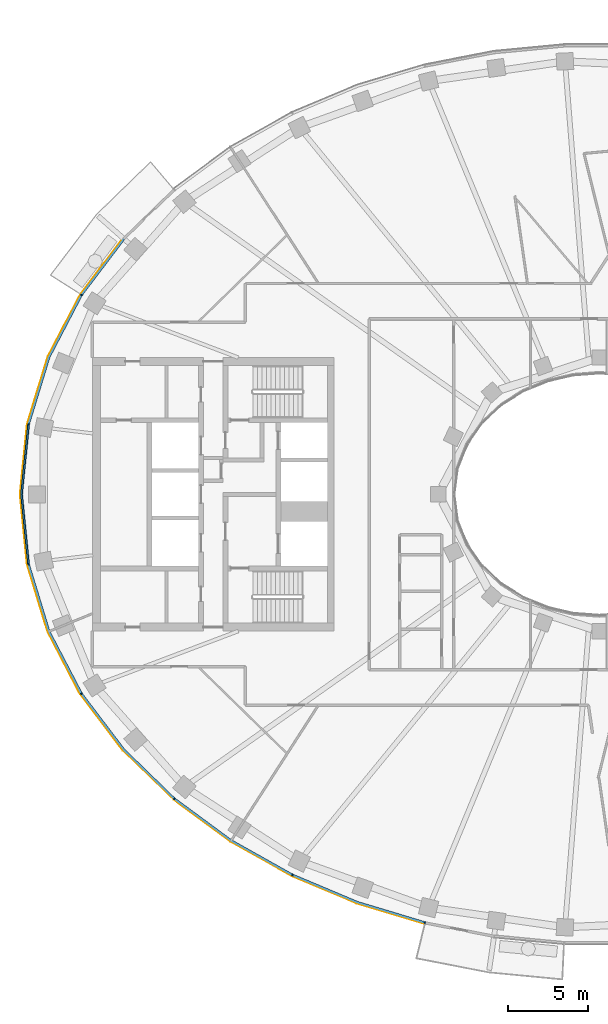
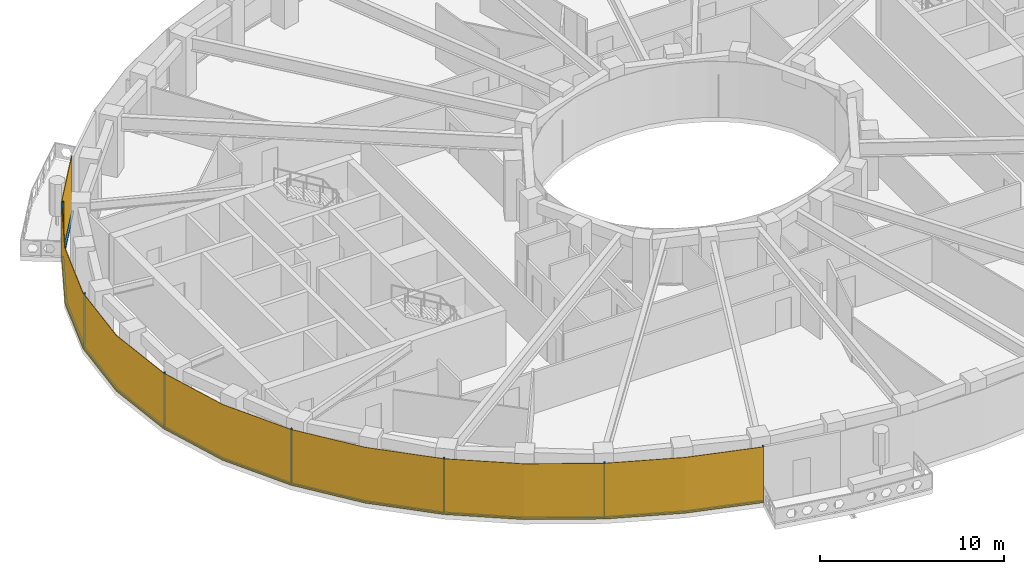
# One storey, part 8 of 16: 14 members, 1 curtain wall.
"""IFC4 building model written with IfcOpenShell, lengths in metres."""

from ifc_helpers import new_model, si_unit, direction, frame, origin, origin_2d, place, context, subcontext, project, spatial, polyline, rectangle, outline, extrude, material, layer, layer_set, material_profile, profile_set, type_object, element, aggregate, save


model = new_model("IFC4")

# Units and contexts
model_context = context("Model", 3, precision=1e-05, world=origin(), true_north=direction((0.0, 1.0)))
body_context = subcontext(model_context, "Body", "Model", "MODEL_VIEW")
ifc_project = project(units=[si_unit("LENGTHUNIT", "METRE"), si_unit("AREAUNIT", "SQUARE_METRE"), si_unit("VOLUMEUNIT", "CUBIC_METRE"), si_unit("PLANEANGLEUNIT", "RADIAN"), si_unit("MASSUNIT", "GRAM", prefix="KILO")], contexts=[model_context])

# Member
ifc_material_1 = material(Name="Aluminium 6063-T6 black anodised", Category="aluminium")
ifc_material_profile = material_profile(ifc_material_1, rectangle(XDim=0.1201171875, YDim=0.06005859375, at=origin_2d()), Name="120x60")
ifc_profile_set = profile_set([ifc_material_profile], Name="Aluminium 6063-T6 black anodised")
member_type_1 = type_object("IfcMemberType", Name="ENV-MULLION-A-120", PredefinedType="MULLION", material=ifc_profile_set)
site_placement = place(None, origin())
building_placement = place(site_placement, origin())
storey_placement = place(building_placement, frame((0.0, 0.0, 261.5)))
member_1_placement = place(storey_placement, frame((-32.177490234375, 12.385498046875, 0.0), z_axis=(0.0, 0.0, 1.0), x_axis=(0.844829880882, -0.53503501976, 0.0)))
member_1 = element("IfcMember", 1, at=member_1_placement, type_object=member_type_1, Name="Mullion A radial 21", PredefinedType="MULLION", context=body_context, shape_type="SweptSolid", body=[
    extrude(rectangle(XDim=0.1201171875, YDim=0.06005859375, at=origin_2d()), origin(), (0.0, 0.0, 1.0), 3.699951171875),
])

member_2_placement = place(storey_placement, frame((-35.470947265625, 4.340576171875, 0.0), z_axis=(0.0, 0.0, 1.0), x_axis=(0.980379083141, -0.19712141776, 0.0)))
member_2 = element("IfcMember", 2, at=member_2_placement, type_object=member_type_1, Name="Mullion A radial 23", PredefinedType="MULLION", context=body_context, shape_type="SweptSolid", body=[
    extrude(rectangle(XDim=0.1201171875, YDim=0.06005859375, at=origin_2d()), origin(), (0.0, 0.0, 1.0), 3.699951171875),
])

member_3_placement = place(storey_placement, frame((-35.470947265625, -4.340576171875, 0.0), z_axis=(0.0, 0.0, 1.0), x_axis=(0.980379083141, 0.19712141776, 0.0)))
member_3 = element("IfcMember", 3, at=member_3_placement, type_object=member_type_1, Name="Mullion A radial 25", PredefinedType="MULLION", context=body_context, shape_type="SweptSolid", body=[
    extrude(rectangle(XDim=0.1201171875, YDim=0.06005859375, at=origin_2d()), origin(), (0.0, 0.0, 1.0), 3.699951171875),
])

member_4_placement = place(storey_placement, frame((-32.177490234375, -12.385498046875, 0.0), z_axis=(0.0, 0.0, 1.0), x_axis=(0.844829880882, 0.53503501976, 0.0)))
member_4 = element("IfcMember", 4, at=member_4_placement, type_object=member_type_1, Name="Mullion A radial 27", PredefinedType="MULLION", context=body_context, shape_type="SweptSolid", body=[
    extrude(rectangle(XDim=0.1201171875, YDim=0.06005859375, at=origin_2d()), origin(), (0.0, 0.0, 1.0), 3.699951171875),
])

member_5_placement = place(storey_placement, frame((-26.403564453125, -18.9130859375, 0.0), z_axis=(0.0, 0.0, 1.0), x_axis=(0.646451313783, 0.762955240435, 0.0)))
member_5 = element("IfcMember", 5, at=member_5_placement, type_object=member_type_1, Name="Mullion A radial 29", PredefinedType="MULLION", context=body_context, shape_type="SweptSolid", body=[
    extrude(rectangle(XDim=0.1201171875, YDim=0.06005859375, at=origin_2d()), origin(), (0.0, 0.0, 1.0), 3.699951171875),
])

member_6_placement = place(storey_placement, frame((-19.06787109375, -23.6474609375, 0.0), z_axis=(0.0, 0.0, 1.0), x_axis=(0.439237769837, 0.898370848563, 0.0)))
member_6 = element("IfcMember", 6, at=member_6_placement, type_object=member_type_1, Name="Mullion A radial 31", PredefinedType="MULLION", context=body_context, shape_type="SweptSolid", body=[
    extrude(rectangle(XDim=0.1201171875, YDim=0.06005859375, at=origin_2d()), origin(), (0.0, 0.0, 1.0), 3.699951171875),
])

member_7_placement = place(storey_placement, frame((-10.84326171875, -26.60498046875, 0.0), z_axis=(0.0, 0.0, 1.0), x_axis=(0.239799081534, 0.970822538106, 0.0)))
member_7 = element("IfcMember", 7, at=member_7_placement, type_object=member_type_1, Name="Mullion A radial 33", PredefinedType="MULLION", context=body_context, shape_type="SweptSolid", body=[
    extrude(rectangle(XDim=0.1201171875, YDim=0.06005859375, at=origin_2d()), origin(), (0.0, 0.0, 1.0), 3.699951171875),
])

ifc_material_2 = material(Name="Aluminium 6063-T6 black anodised", Category="aluminium")
member_type_2 = type_object("IfcMemberType", Name="ENV-TRANSOM-A", PredefinedType="USERDEFINED", material=ifc_material_2)
member_8_placement = place(storey_placement, origin())
member_8 = element("IfcMember", 8, at=member_8_placement, type_object=member_type_2, Name="Transom A radial 20-21", ObjectType="TRANSOM", PredefinedType="USERDEFINED", context=body_context, shape_type="SweptSolid", body=[
    extrude(outline(polyline([(-29.595703125, 15.890869140625), (-32.211181640625, 12.43994140625), (-32.109375, 12.37548828125), (-29.505615234375, 15.811279296875), (-29.595703125, 15.890869140625)])), origin(), (0.0, 0.0, 1.0), 0.10009765625),
])

member_9_placement = place(storey_placement, origin())
member_9 = element("IfcMember", 9, at=member_9_placement, type_object=member_type_2, Name="Transom A radial 21-23", ObjectType="TRANSOM", PredefinedType="USERDEFINED", context=body_context, shape_type="SweptSolid", body=[
    extrude(outline(polyline([(-32.240966796875, 12.392578125), (-34.251220703125, 8.53662109375), (-35.521484375, 4.379150390625), (-35.4033203125, 4.355224609375), (-34.139892578125, 8.490966796875), (-32.139404296875, 12.328369140625), (-32.240966796875, 12.392578125)])), origin(), (0.0, 0.0, 1.0), 0.10009765625),
])

member_10_placement = place(storey_placement, origin())
member_10 = element("IfcMember", 10, at=member_10_placement, type_object=member_type_2, Name="Transom A radial 23-25", ObjectType="TRANSOM", PredefinedType="USERDEFINED", context=body_context, shape_type="SweptSolid", body=[
    extrude(outline(polyline([(-35.532470703125, 4.324462890625), (-35.9677734375, 0.0), (-35.532470703125, -4.324462890625), (-35.414306640625, -4.30078125), (-35.84716796875, 0.0), (-35.414306640625, 4.30078125), (-35.532470703125, 4.324462890625)])), origin(), (0.0, 0.0, 1.0), 0.10009765625),
])

member_11_placement = place(storey_placement, origin())
member_11 = element("IfcMember", 11, at=member_11_placement, type_object=member_type_2, Name="Transom A radial 25-27", ObjectType="TRANSOM", PredefinedType="USERDEFINED", context=body_context, shape_type="SweptSolid", body=[
    extrude(outline(polyline([(-35.521484375, -4.379150390625), (-34.251220703125, -8.53662109375), (-32.240966796875, -12.392578125), (-32.139404296875, -12.328369140625), (-34.139892578125, -8.490966796875), (-35.4033203125, -4.355224609375), (-35.521484375, -4.379150390625)])), origin(), (0.0, 0.0, 1.0), 0.10009765625),
])

member_12_placement = place(storey_placement, origin())
member_12 = element("IfcMember", 12, at=member_12_placement, type_object=member_type_2, Name="Transom A radial 27-29", ObjectType="TRANSOM", PredefinedType="USERDEFINED", context=body_context, shape_type="SweptSolid", body=[
    extrude(outline(polyline([(-32.211181640625, -12.43994140625), (-29.58349609375, -15.906982421875), (-26.46240234375, -18.939208984375), (-26.384765625, -18.847412109375), (-29.493408203125, -15.8271484375), (-32.109375, -12.37548828125), (-32.211181640625, -12.43994140625)])), origin(), (0.0, 0.0, 1.0), 0.10009765625),
])

member_13_placement = place(storey_placement, origin())
member_13 = element("IfcMember", 13, at=member_13_placement, type_object=member_type_2, Name="Transom A radial 29-31", ObjectType="TRANSOM", PredefinedType="USERDEFINED", context=body_context, shape_type="SweptSolid", body=[
    extrude(outline(polyline([(-26.419921875, -18.975341796875), (-22.9150390625, -21.556884765625), (-19.11865234375, -23.687744140625), (-19.06591796875, -23.57958984375), (-22.85009765625, -21.455810546875), (-26.342041015625, -18.883544921875), (-26.419921875, -18.975341796875)])), origin(), (0.0, 0.0, 1.0), 0.10009765625),
])

member_14_placement = place(storey_placement, origin())
member_14 = element("IfcMember", 14, at=member_14_placement, type_object=member_type_2, Name="Transom A radial 31-33", ObjectType="TRANSOM", PredefinedType="USERDEFINED", context=body_context, shape_type="SweptSolid", body=[
    extrude(outline(polyline([(-19.068359375, -23.71240234375), (-15.054443359375, -25.400146484375), (-10.884521484375, -26.655029296875), (-10.855712890625, -26.53857421875), (-15.013916015625, -25.287109375), (-19.015380859375, -23.604248046875), (-19.068359375, -23.71240234375)])), origin(), (0.0, 0.0, 1.0), 0.10009765625),
])

# Site, building, storey
site = spatial("IfcSite", under=ifc_project, at=site_placement, CompositionType="ELEMENT")
building = spatial("IfcBuilding", under=site, at=building_placement, Name="Noorbagh Ring Tower", CompositionType="ELEMENT")
storey = spatial("IfcBuildingStorey", under=building, at=storey_placement, Name="L55", CompositionType="ELEMENT", Elevation=261.5)

# Curtain wall
ifc_material_3 = material(Name="Glass dark tinted laminated", Category="glass")
ifc_layer = layer(ifc_material_3, 0.031982421875)
ifc_layer_set = layer_set([ifc_layer], Name="Glass dark tinted laminated")
curtain_wall_type = type_object("IfcCurtainWallType", Name="ENV-CW-A", PredefinedType="NOTDEFINED", material=ifc_layer_set)
curtain_wall_placement = place(storey_placement, origin())
curtain_wall = element("IfcCurtainWall", 15, at=curtain_wall_placement, inside=storey, type_object=curtain_wall_type, Name="Curtain wall A R20", PredefinedType="NOTDEFINED", context=body_context, shape_type="SweptSolid", body=[
    extrude(outline(polyline([(-29.61962890625, 15.912109375), (-32.255126953125, 12.434814453125), (-34.281005859375, 8.548828125), (-35.561279296875, 4.358642578125), (-36.0, 0.0), (-35.561279296875, -4.358642578125), (-34.281005859375, -8.548828125), (-32.255126953125, -12.434814453125), (-29.607666015625, -15.927978515625), (-26.463134765625, -18.9833984375), (-22.9326171875, -21.583740234375), (-19.108154296875, -23.730224609375), (-15.065185546875, -25.430419921875), (-10.884521484375, -26.6884765625), (-10.876708984375, -26.657470703125), (-15.054443359375, -25.400146484375), (-19.093994140625, -23.701416015625), (-22.9150390625, -21.556884765625), (-26.4423828125, -18.958740234375), (-29.58349609375, -15.906982421875), (-32.22802734375, -12.41748046875), (-34.251220703125, -8.53662109375), (-35.529541015625, -4.352294921875), (-35.9677734375, 0.0), (-35.529541015625, 4.352294921875), (-34.251220703125, 8.53662109375), (-32.22802734375, 12.41748046875), (-29.595703125, 15.890869140625), (-29.61962890625, 15.912109375)])), origin(), (0.0, 0.0, 1.0), 3.699951171875),
])

aggregate(curtain_wall, [member_1, member_2, member_3, member_4, member_5, member_6, member_7, member_8, member_9, member_10, member_11, member_12, member_13, member_14])

save(model, "model.ifc")
